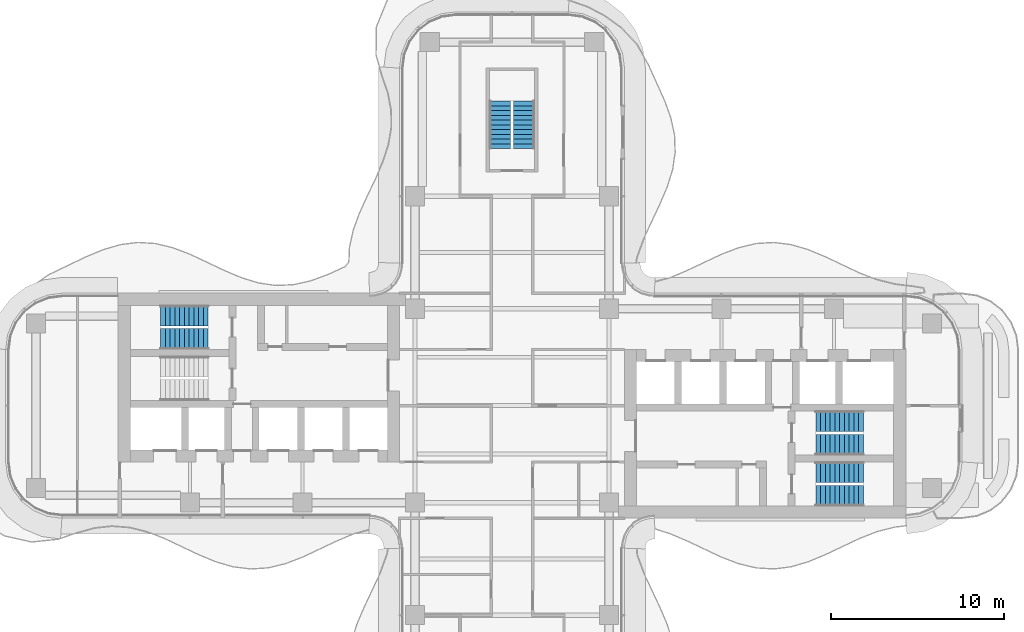
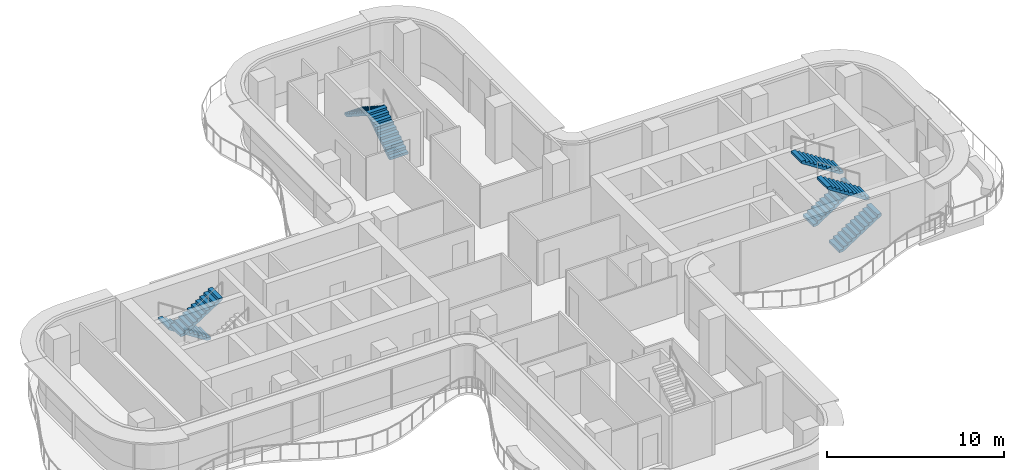
# One storey, part 15 of 17: 8 stair flights, 4 elements without a shape of their own.
"""IFC4 building model written with IfcOpenShell, lengths in metres."""

from ifc_helpers import new_model, si_unit, direction, frame, origin, place, context, subcontext, project, spatial, polyline, outline, extrude, source, transform, mapped, material, type_object, element, aggregate, save


model = new_model("IFC4")

# Units and contexts
model_context = context("Model", 3, precision=1e-05, world=origin(), true_north=direction((0.0, 1.0)))
body_context = subcontext(model_context, "Body", "Model", "MODEL_VIEW")
ifc_project = project(units=[si_unit("LENGTHUNIT", "METRE"), si_unit("AREAUNIT", "SQUARE_METRE"), si_unit("VOLUMEUNIT", "CUBIC_METRE"), si_unit("PLANEANGLEUNIT", "RADIAN"), si_unit("MASSUNIT", "GRAM", prefix="KILO")], contexts=[model_context])

# Site, building, storey
site_placement = place(None, origin())
site = spatial("IfcSite", under=ifc_project, at=site_placement, CompositionType="ELEMENT")
building_placement = place(site_placement, origin())
building = spatial("IfcBuilding", under=site, at=building_placement, Name="Trellis Farm Tower", CompositionType="ELEMENT")
storey_placement = place(building_placement, frame((0.0, 0.0, 220.699951171875)))
storey = spatial("IfcBuildingStorey", under=building, at=storey_placement, Name="L48", CompositionType="ELEMENT", Elevation=220.699951171875)

# Stair, stair flights
ifc_material = material(Name="Concrete C50/60", Category="concrete")
stair_type = type_object("IfcStairType", Name="CORE EXIT STAIR 22 RISERS 177 MM", PredefinedType="HALF_TURN_STAIR", material=ifc_material)
placement = place(storey_placement, origin())
stair_1 = element("IfcStair", 1, at=placement, inside=storey, type_object=stair_type, Name="Exit stair N", PredefinedType="HALF_TURN_STAIR")
stair_flight_type = type_object("IfcStairFlightType", Name="STAIR FLIGHT 11 RISERS 177 MM", PredefinedType="STRAIGHT", material=ifc_material)
shared_shape = source(origin(), body_context, "Body", "SweptSolid", [
    extrude(outline(polyline([(0.0, 0.0), (0.0, 0.17724609375), (0.27490234375, 0.17724609375), (0.27490234375, 0.3544921875), (0.550048828125, 0.3544921875), (0.550048828125, 0.53173828125), (0.824951171875, 0.53173828125), (0.824951171875, 0.708984375), (1.10009765625, 0.708984375), (1.10009765625, 0.886474609375), (1.375, 0.886474609375), (1.375, 1.063720703125), (1.64990234375, 1.063720703125), (1.64990234375, 1.240966796875), (1.925048828125, 1.240966796875), (1.925048828125, 1.418212890625), (2.199951171875, 1.418212890625), (2.199951171875, 1.595458984375), (2.47509765625, 1.595458984375), (2.47509765625, 1.772705078125), (2.75, 1.772705078125), (2.75, 1.949951171875), (2.75, 1.6181640625), (0.23974609375, 0.0), (0.0, 0.0)])), frame((0.0, 0.60009765625, 0.0), z_axis=(0.0, -1.0, 0.0), x_axis=(1.0, 0.0, 0.0)), (0.0, 0.0, 1.0), 1.199951171875),
])
stair_flight_1_placement = place(storey_placement, frame((0.699951171875, 14.85009765625, 0.0), z_axis=(0.0, 0.0, 1.0), x_axis=(0.0, 1.0, 0.0)))
stair_flight_1 = element("IfcStairFlight", 2, at=stair_flight_1_placement, type_object=stair_flight_type, Name="STN flight 1", NumberOfRisers=11, NumberOfTreads=10, PredefinedType="STRAIGHT", RiserHeight=0.177272727, TreadLength=0.275, context=body_context, shape_type="MappedRepresentation", body=[
    mapped(shared_shape, transform((0.0, 0.0, 0.0))),
])
stair_flight_2_placement = place(storey_placement, frame((-0.699951171875, 17.60009765625, 1.949951171875), z_axis=(0.0, 0.0, 1.0), x_axis=(0.0, -1.0, 0.0)))
stair_flight_2 = element("IfcStairFlight", 3, at=stair_flight_2_placement, type_object=stair_flight_type, Name="STN flight 2", NumberOfRisers=11, NumberOfTreads=10, PredefinedType="STRAIGHT", RiserHeight=0.177272727, TreadLength=0.275, context=body_context, shape_type="MappedRepresentation", body=[
    mapped(shared_shape, transform((0.0, 0.0, 0.0))),
])
aggregate(stair_1, [stair_flight_1, stair_flight_2])

stair_2 = element("IfcStair", 4, at=placement, inside=storey, type_object=stair_type, Name="Exit stair E1", PredefinedType="HALF_TURN_STAIR")
stair_flight_3_placement = place(storey_placement, frame((17.550048828125, -5.199951171875, 0.0), z_axis=(0.0, 0.0, 1.0), x_axis=(1.0, 0.0, 0.0)))
stair_flight_3 = element("IfcStairFlight", 5, at=stair_flight_3_placement, type_object=stair_flight_type, Name="STE1 flight 1", NumberOfRisers=11, NumberOfTreads=10, PredefinedType="STRAIGHT", RiserHeight=0.177272727, TreadLength=0.275, context=body_context, shape_type="MappedRepresentation", body=[
    mapped(shared_shape, transform((0.0, 0.0, 0.0))),
])
stair_flight_4_placement = place(storey_placement, frame((20.300048828125, -3.85009765625, 1.949951171875), z_axis=(0.0, 0.0, 1.0), x_axis=(-1.0, 0.0, 0.0)))
stair_flight_4 = element("IfcStairFlight", 6, at=stair_flight_4_placement, type_object=stair_flight_type, Name="STE1 flight 2", NumberOfRisers=11, NumberOfTreads=10, PredefinedType="STRAIGHT", RiserHeight=0.177272727, TreadLength=0.275, context=body_context, shape_type="MappedRepresentation", body=[
    mapped(shared_shape, transform((0.0, 0.0, 0.0))),
])
aggregate(stair_2, [stair_flight_3, stair_flight_4])

stair_3 = element("IfcStair", 7, at=placement, inside=storey, type_object=stair_type, Name="Exit stair E2", PredefinedType="HALF_TURN_STAIR")
stair_flight_5_placement = place(storey_placement, frame((17.550048828125, -2.25, 0.0), z_axis=(0.0, 0.0, 1.0), x_axis=(1.0, 0.0, 0.0)))
stair_flight_5 = element("IfcStairFlight", 8, at=stair_flight_5_placement, type_object=stair_flight_type, Name="STE2 flight 1", NumberOfRisers=11, NumberOfTreads=10, PredefinedType="STRAIGHT", RiserHeight=0.177272727, TreadLength=0.275, context=body_context, shape_type="MappedRepresentation", body=[
    mapped(shared_shape, transform((0.0, 0.0, 0.0))),
])
stair_flight_6_placement = place(storey_placement, frame((20.300048828125, -0.89990234375, 1.949951171875), z_axis=(0.0, 0.0, 1.0), x_axis=(-1.0, 0.0, 0.0)))
stair_flight_6 = element("IfcStairFlight", 9, at=stair_flight_6_placement, type_object=stair_flight_type, Name="STE2 flight 2", NumberOfRisers=11, NumberOfTreads=10, PredefinedType="STRAIGHT", RiserHeight=0.177272727, TreadLength=0.275, context=body_context, shape_type="MappedRepresentation", body=[
    mapped(shared_shape, transform((0.0, 0.0, 0.0))),
])
aggregate(stair_3, [stair_flight_5, stair_flight_6])

stair_4 = element("IfcStair", 10, at=placement, inside=storey, type_object=stair_type, Name="Exit stair W1", PredefinedType="HALF_TURN_STAIR")
stair_flight_7_placement = place(storey_placement, frame((-17.550048828125, 5.199951171875, 0.0), z_axis=(0.0, 0.0, 1.0), x_axis=(-1.0, 0.0, 0.0)))
stair_flight_7 = element("IfcStairFlight", 11, at=stair_flight_7_placement, type_object=stair_flight_type, Name="STW1 flight 1", NumberOfRisers=11, NumberOfTreads=10, PredefinedType="STRAIGHT", RiserHeight=0.177272727, TreadLength=0.275, context=body_context, shape_type="MappedRepresentation", body=[
    mapped(shared_shape, transform((0.0, 0.0, 0.0))),
])
stair_flight_8_placement = place(storey_placement, frame((-20.300048828125, 3.85009765625, 1.949951171875), z_axis=(0.0, 0.0, 1.0), x_axis=(1.0, 0.0, 0.0)))
stair_flight_8 = element("IfcStairFlight", 12, at=stair_flight_8_placement, type_object=stair_flight_type, Name="STW1 flight 2", NumberOfRisers=11, NumberOfTreads=10, PredefinedType="STRAIGHT", RiserHeight=0.177272727, TreadLength=0.275, context=body_context, shape_type="MappedRepresentation", body=[
    mapped(shared_shape, transform((0.0, 0.0, 0.0))),
])
aggregate(stair_4, [stair_flight_7, stair_flight_8])

save(model, "model.ifc")
